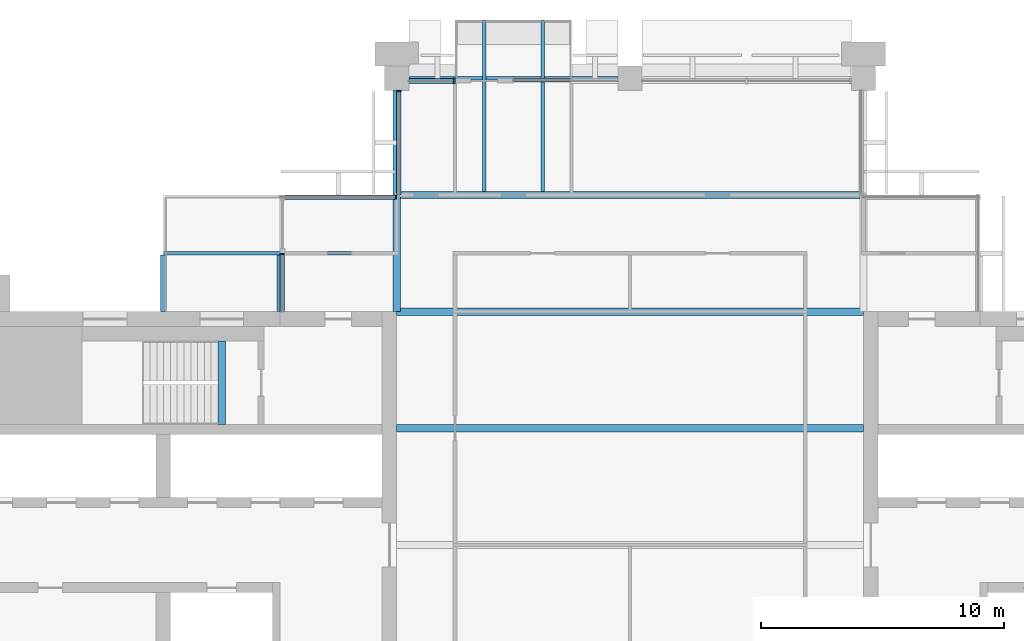
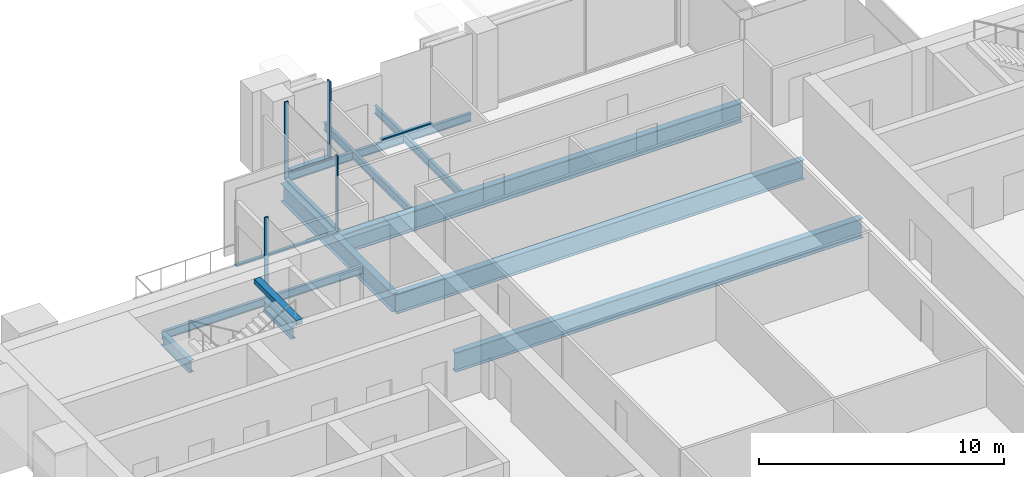
# One storey, part 5 of 14: 13 beams, 9 members, 5 elements without a shape of their own.
"""IFC4 building model written with IfcOpenShell, lengths in metres."""

import ifcopenshell
import ifcopenshell.guid

model = None  # the IFC model being written
_history = None  # IfcOwnerHistory: only IFC2X3 demands one
_inside = {}  # id of a spatial element -> (the spatial element, [elements in it])
_under = {}  # id of a project, library or spatial element -> (it, [spatial elements below it])
_declared = {}  # id of a project -> (the project, [libraries it declares])
_typed = {}  # id of a type object -> (the type object, [elements of that type])
_made_of = {}  # id of a material, layer set ... -> (it, [elements and type objects made of it])


def new_model(schema):
    """Start an empty IFC model of exactly this schema.

    Asked for "IFC4X3", IfcOpenShell would pick the latest addendum, in which some entities
    have other attributes; the version numbers below select the first issue.
    IFC2X3 requires an IfcOwnerHistory on every rooted entity: one is made here for all.
    """
    global model, _history
    if schema == "IFC4X3":
        model = ifcopenshell.file(schema_version=(4, 3, 0, 0))
    else:
        model = ifcopenshell.file(schema=schema)
    _inside.clear()
    _under.clear()
    _declared.clear()
    _typed.clear()
    _made_of.clear()
    _history = None
    if model.schema == "IFC2X3":
        org = make("IfcOrganization", Name="unknown")
        user = make(
            "IfcPersonAndOrganization",
            ThePerson=make("IfcPerson", FamilyName="unknown"),
            TheOrganization=org,
        )
        app = make(
            "IfcApplication",
            ApplicationDeveloper=org,
            Version="unknown",
            ApplicationFullName="unknown",
            ApplicationIdentifier="unknown",
        )
        _history = make(
            "IfcOwnerHistory",
            OwningUser=user,
            OwningApplication=app,
            ChangeAction="ADDED",
            CreationDate=0,
        )
    return model


def make(cls, **values):
    """One entity of the class cls with the attributes given. An attribute that is None is left unset."""
    return model.create_entity(
        cls, **{name: value for name, value in values.items() if value is not None}
    )


def rooted(cls, **values):
    """An entity with a GlobalId (a new one), such as an element, a storey or a relation."""
    return make(cls, GlobalId=ifcopenshell.guid.new(), OwnerHistory=_history, **values)


def si_unit(unit_type, name, prefix=None):
    """IfcSIUnit, for example si_unit("LENGTHUNIT", "METRE", prefix="MILLI")."""
    return make("IfcSIUnit", UnitType=unit_type, Prefix=prefix, Name=name)


def assignment(units):
    """IfcUnitAssignment: the units of a project."""
    return None if units is None else make("IfcUnitAssignment", Units=units)


def point(xyz):
    """IfcCartesianPoint."""
    return None if xyz is None else make("IfcCartesianPoint", Coordinates=xyz)


def direction(xyz):
    """IfcDirection."""
    return None if xyz is None else make("IfcDirection", DirectionRatios=xyz)


def frame(location, z_axis=None, x_axis=None):
    """IfcAxis2Placement3D, a coordinate frame: its origin and axes. An axis left out is left unset."""
    return make(
        "IfcAxis2Placement3D",
        Location=point(location),
        Axis=direction(z_axis),
        RefDirection=direction(x_axis),
    )


def frame_2d(location, x_axis=None):
    """IfcAxis2Placement2D, a coordinate frame in the plane: its origin and x axis."""
    return make(
        "IfcAxis2Placement2D", Location=point(location), RefDirection=direction(x_axis)
    )


def origin():
    """The frame at (0, 0, 0) with its axes left unset."""
    return frame((0.0, 0.0, 0.0))


def origin_2d():
    """The frame at (0, 0) in the plane with its x axis left unset."""
    return frame_2d((0.0, 0.0))


def place(relative_to, where):
    """IfcLocalPlacement: puts the frame where relative to a parent placement (None: the world)."""
    return make(
        "IfcLocalPlacement", PlacementRelTo=relative_to, RelativePlacement=where
    )


def context(
    kind, dimensions, precision=None, world=None, true_north=None, identifier=None
):
    """IfcGeometricRepresentationContext, for example the 3D "Model" context."""
    return make(
        "IfcGeometricRepresentationContext",
        ContextIdentifier=identifier,
        ContextType=kind,
        CoordinateSpaceDimension=dimensions,
        Precision=precision,
        WorldCoordinateSystem=world,
        TrueNorth=true_north,
    )


def subcontext(parent, identifier, kind, view, scale=None):
    """IfcGeometricRepresentationSubContext, for example "Body" below "Model"."""
    return make(
        "IfcGeometricRepresentationSubContext",
        ContextIdentifier=identifier,
        ContextType=kind,
        ParentContext=parent,
        TargetScale=scale,
        TargetView=view,
    )


def project(units=None, contexts=None):
    """IfcProject with its units and contexts."""
    return rooted(
        "IfcProject",
        Name="project",
        RepresentationContexts=contexts,
        UnitsInContext=assignment(units),
    )


def spatial(cls, under=None, at=None, **own):
    """A site, building, storey or space (cls), placed at a placement, below another one or the project."""
    s = rooted(cls, ObjectPlacement=at, **own)
    if under is not None:
        _under.setdefault(under.id(), (under, []))[1].append(s)
    return s


def profile(cls, at=None, kind="AREA", **sizes):
    """A parametric profile (cls). Its sizes go by their IFC names, for example OverallWidth=200.0."""
    return make(cls, ProfileType=kind, Position=at, **sizes)


def rectangle(**sizes):
    """IfcRectangleProfileDef."""
    return profile("IfcRectangleProfileDef", **sizes)


def i_section(**sizes):
    """IfcIShapeProfileDef."""
    return profile("IfcIShapeProfileDef", **sizes)


def extrude(swept, where, along, depth):
    """IfcExtrudedAreaSolid: the profile swept, set in the frame where, extruded along a direction by depth."""
    return make(
        "IfcExtrudedAreaSolid",
        SweptArea=swept,
        Position=where,
        ExtrudedDirection=direction(along),
        Depth=depth,
    )


def shape(context_of_items, identifier, shape_type, items):
    """IfcShapeRepresentation: the items that make up one representation, for example the "Body"."""
    return make(
        "IfcShapeRepresentation",
        ContextOfItems=context_of_items,
        RepresentationIdentifier=identifier,
        RepresentationType=shape_type,
        Items=items,
    )


def material(Name=None, Category=None):
    """IfcMaterial."""
    return make("IfcMaterial", Name=Name, Category=Category)


def material_profile(
    of_material, cross_section, Name=None, Category=None, Priority=None
):
    """IfcMaterialProfile: a cross section and its material."""
    return make(
        "IfcMaterialProfile",
        Name=Name,
        Material=of_material,
        Profile=cross_section,
        Priority=Priority,
        Category=Category,
    )


def profile_set(profiles, Name=None, composite=None):
    """IfcMaterialProfileSet."""
    return make(
        "IfcMaterialProfileSet",
        Name=Name,
        MaterialProfiles=profiles,
        CompositeProfile=composite,
    )


def made_of(thing, what):
    """Note that an element or type object is made of a material, layer set ...; save() writes the relation."""
    if what is not None:
        _made_of.setdefault(what.id(), (what, []))[1].append(thing)
    return thing


def type_object(cls, material=None, **own):
    """A type object (cls), such as IfcWallType, which elements share."""
    return made_of(rooted(cls, **own), material)


def element(
    cls,
    number,
    at=None,
    inside=None,
    cuts=None,
    type_object=None,
    material=None,
    context=None,
    identifier="Body",
    shape_type=None,
    held_by="IfcProductDefinitionShape",
    body=None,
    shapes=None,
    **own,
):
    """One element of the class cls, such as IfcWall. Its Tag is "e" and its number.

    at: its placement. inside: the storey or other place that contains it. cuts: it is an
    opening in that element (IfcRelVoidsElement). A single representation is given by context,
    identifier, shape_type and body (its items); several are given by shapes. held_by: the class
    of the entity that holds the representations. save() writes the other relations.
    """
    e = rooted(cls, Tag="e%d" % number, ObjectPlacement=at, **own)
    if body is not None:
        shapes = [shape(context, identifier, shape_type, body)]
    if shapes is not None:
        e.Representation = make(held_by, Representations=shapes)
    if inside is not None:
        _inside.setdefault(inside.id(), (inside, []))[1].append(e)
    if cuts is not None:
        rooted(
            "IfcRelVoidsElement", RelatingBuildingElement=cuts, RelatedOpeningElement=e
        )
    if type_object is not None:
        _typed.setdefault(type_object.id(), (type_object, []))[1].append(e)
    return made_of(e, material)


def aggregate(whole, parts):
    """IfcRelAggregates: a whole, such as a stair, and the parts it consists of."""
    return rooted("IfcRelAggregates", RelatingObject=whole, RelatedObjects=parts)


def save(model, path):
    """Write the relations noted so far, then the file.

    IfcRelAggregates (storeys below a building ...), IfcRelContainedInSpatialStructure (elements
    in a storey), IfcRelDefinesByType, IfcRelAssociatesMaterial and IfcRelDeclares: one each for
    every whole, place, type object, material and project.
    """
    for whole, parts in _under.values():
        aggregate(whole, parts)
    for where, things in _inside.values():
        rooted(
            "IfcRelContainedInSpatialStructure",
            RelatedElements=things,
            RelatingStructure=where,
        )
    for kind, things in _typed.values():
        rooted("IfcRelDefinesByType", RelatedObjects=things, RelatingType=kind)
    for what, things in _made_of.values():
        rooted("IfcRelAssociatesMaterial", RelatedObjects=things, RelatingMaterial=what)
    for by, libraries in _declared.values():
        rooted("IfcRelDeclares", RelatingContext=by, RelatedDefinitions=libraries)
    model.write(path)


model = new_model("IFC4")

# Units and contexts
model_context = context("Model", 3, precision=1e-05, world=origin(), true_north=direction((0.0, 1.0)))
body_context = subcontext(model_context, "Body", "Model", "MODEL_VIEW")
ifc_project = project(units=[si_unit("LENGTHUNIT", "METRE"), si_unit("AREAUNIT", "SQUARE_METRE"), si_unit("VOLUMEUNIT", "CUBIC_METRE"), si_unit("PLANEANGLEUNIT", "RADIAN"), si_unit("MASSUNIT", "GRAM", prefix="KILO")], contexts=[model_context])

# Site, building, storey
site_placement = place(None, origin())
site = spatial("IfcSite", under=ifc_project, at=site_placement, CompositionType="ELEMENT")
building_placement = place(site_placement, origin())
building = spatial("IfcBuilding", under=site, at=building_placement, Name="Baori Bourse Tower", CompositionType="ELEMENT")
storey_placement = place(building_placement, frame((0.0, 0.0, 290.300048828125)))
storey = spatial("IfcBuildingStorey", under=building, at=storey_placement, Name="L63", CompositionType="ELEMENT", Elevation=290.300048828125)

# Beams
ifc_material_1 = material(Name="Steel A992 Gr 50", Category="steel")
ifc_material_profile_1 = material_profile(ifc_material_1, i_section(OverallWidth=0.140380859375, OverallDepth=0.40380859375, WebThickness=0.007080078125, FlangeThickness=0.01123046875, at=origin_2d()), Name="W16x31")
ifc_profile_set_1 = profile_set([ifc_material_profile_1], Name="Steel A992 Gr 50")
beam_type_1 = type_object("IfcBeamType", Name="Balcony beam W16x31", PredefinedType="BEAM", material=ifc_profile_set_1)
for number, where, z_axis, x_axis, name in (
    (1, (22.800048828125, 50.39990234375, -0.362060546875), (0.0, -1.0, 0.0), (1.0, 0.0, 0.0), "Balcony beam L63"),
    (2, (25.199951171875, 50.39990234375, -0.362060546875), (0.0, -1.0, 0.0), (1.0, 0.0, 0.0), "Balcony beam L63"),
):
    element("IfcBeam", number, at=place(storey_placement, frame(where, z_axis=z_axis, x_axis=x_axis)), inside=storey, type_object=beam_type_1, Name=name, PredefinedType="BEAM", context=body_context, shape_type="SweptSolid", body=[
        extrude(i_section(OverallWidth=0.140380859375, OverallDepth=0.40380859375, WebThickness=0.007080078125, FlangeThickness=0.01123046875, at=origin_2d()), origin(), (0.0, 0.0, 1.0), 7.050048828125),
    ])

# Curtain wall, member
ifc_material_2 = material(Name="Pale anodised aluminium", Category="aluminium")
curtain_wall_type_1 = type_object("IfcCurtainWallType", Name="CW2 Curtain wall", PredefinedType="NOTDEFINED", material=ifc_material_2)
curtain_wall_1_placement = place(storey_placement, origin())
curtain_wall_1 = element("IfcCurtainWall", 3, at=curtain_wall_1_placement, inside=storey, type_object=curtain_wall_type_1, Name="Curtain wall CW2 L63 7", PredefinedType="NOTDEFINED")
ifc_material_3 = material(Name="Pale anodised aluminium", Category="aluminium")
ifc_material_profile_2 = material_profile(ifc_material_3, rectangle(XDim=0.179931640625, YDim=0.054931640625, at=origin_2d()), Name="Mullion 55x180")
ifc_profile_set_2 = profile_set([ifc_material_profile_2], Name="Pale anodised aluminium")
member_type_1 = type_object("IfcMemberType", Name="CW2 Curtain wall mullion", PredefinedType="MULLION", material=ifc_profile_set_2)
member_1_placement = place(storey_placement, frame((19.2900390625, 47.472412109375, 0.070068359375), z_axis=(0.0, 0.0, 1.0), x_axis=(1.0, 0.0, 0.0)))
member_1 = element("IfcMember", 4, at=member_1_placement, type_object=member_type_1, Name="Curtain wall CW2 mullion", PredefinedType="MULLION", context=body_context, shape_type="SweptSolid", body=[
    extrude(rectangle(XDim=0.179931640625, YDim=0.054931640625, at=origin_2d()), origin(), (0.0, 0.0, 1.0), 3.769775390625),
])

curtain_wall_2_placement = place(storey_placement, origin())
curtain_wall_2 = element("IfcCurtainWall", 5, at=curtain_wall_2_placement, inside=storey, type_object=curtain_wall_type_1, Name="Curtain wall CW2 L63 8", PredefinedType="NOTDEFINED")
member_2_placement = place(storey_placement, frame((19.172607421875, 43.110107421875, 0.070068359375), z_axis=(0.0, 0.0, 1.0), x_axis=(0.0, -1.0, 0.0)))
member_2 = element("IfcMember", 6, at=member_2_placement, type_object=member_type_1, Name="Curtain wall CW2 mullion", PredefinedType="MULLION", context=body_context, shape_type="SweptSolid", body=[
    extrude(rectangle(XDim=0.179931640625, YDim=0.054931640625, at=origin_2d()), origin(), (0.0, 0.0, 1.0), 3.769775390625),
])

curtain_wall_3_placement = place(storey_placement, origin())
curtain_wall_3 = element("IfcCurtainWall", 7, at=curtain_wall_3_placement, inside=storey, type_object=curtain_wall_type_1, Name="Curtain wall CW2 L63 9", PredefinedType="NOTDEFINED")
member_3_placement = place(storey_placement, frame((14.489990234375, 40.7724609375, 0.070068359375), z_axis=(0.0, 0.0, 1.0), x_axis=(1.0, 0.0, 0.0)))
member_3 = element("IfcMember", 8, at=member_3_placement, type_object=member_type_1, Name="Curtain wall CW2 mullion", PredefinedType="MULLION", context=body_context, shape_type="SweptSolid", body=[
    extrude(rectangle(XDim=0.179931640625, YDim=0.054931640625, at=origin_2d()), origin(), (0.0, 0.0, 1.0), 3.769775390625),
])

# Member
ifc_material_4 = material(Name="Pale anodised aluminium", Category="aluminium")
ifc_material_profile_3 = material_profile(ifc_material_4, rectangle(XDim=0.179931640625, YDim=0.070068359375, at=origin_2d()), Name="Transom 70x180")
ifc_profile_set_3 = profile_set([ifc_material_profile_3], Name="Pale anodised aluminium")
member_type_2 = type_object("IfcMemberType", Name="CW2 Curtain wall transom", PredefinedType="USERDEFINED", material=ifc_profile_set_3)
member_4_placement = place(storey_placement, frame((19.2900390625, 47.5, 0.034912109375), z_axis=(0.0, -1.0, 0.0), x_axis=(1.0, 0.0, 0.0)))
member_4 = element("IfcMember", 9, at=member_4_placement, type_object=member_type_2, Name="Curtain wall CW2 sill rail", ObjectType="TRANSOM", PredefinedType="USERDEFINED", context=body_context, shape_type="SweptSolid", body=[
    extrude(rectangle(XDim=0.179931640625, YDim=0.070068359375, at=origin_2d()), origin(), (0.0, 0.0, 1.0), 4.300048828125),
])

aggregate(curtain_wall_1, [member_4, member_1])

member_5_placement = place(storey_placement, frame((19.199951171875, 43.110107421875, 0.034912109375), z_axis=(-1.0, 0.0, 0.0), x_axis=(0.0, -1.0, 0.0)))
member_5 = element("IfcMember", 10, at=member_5_placement, type_object=member_type_2, Name="Curtain wall CW2 sill rail", ObjectType="TRANSOM", PredefinedType="USERDEFINED", context=body_context, shape_type="SweptSolid", body=[
    extrude(rectangle(XDim=0.179931640625, YDim=0.070068359375, at=origin_2d()), origin(), (0.0, 0.0, 1.0), 4.800048828125),
])

aggregate(curtain_wall_2, [member_5, member_2])

member_6_placement = place(storey_placement, frame((14.489990234375, 40.800048828125, 0.034912109375), z_axis=(0.0, -1.0, 0.0), x_axis=(1.0, 0.0, 0.0)))
member_6 = element("IfcMember", 11, at=member_6_placement, type_object=member_type_2, Name="Curtain wall CW2 sill rail", ObjectType="TRANSOM", PredefinedType="USERDEFINED", context=body_context, shape_type="SweptSolid", body=[
    extrude(rectangle(XDim=0.179931640625, YDim=0.070068359375, at=origin_2d()), origin(), (0.0, 0.0, 1.0), 2.400146484375),
])

aggregate(curtain_wall_3, [member_6, member_3])

# Curtain wall, members
ifc_material_5 = material(Name="Pale anodised aluminium", Category="aluminium")
curtain_wall_type_2 = type_object("IfcCurtainWallType", Name="CW5 Curtain wall", PredefinedType="NOTDEFINED", material=ifc_material_5)
curtain_wall_4_placement = place(storey_placement, origin())
curtain_wall_4 = element("IfcCurtainWall", 12, at=curtain_wall_4_placement, inside=storey, type_object=curtain_wall_type_2, Name="Curtain wall CW5 L63 6", PredefinedType="NOTDEFINED")
ifc_material_6 = material(Name="Pale anodised aluminium", Category="aluminium")
ifc_material_profile_4 = material_profile(ifc_material_6, rectangle(XDim=0.219970703125, YDim=0.06494140625, at=origin_2d()), Name="Mullion 65x220")
ifc_profile_set_4 = profile_set([ifc_material_profile_4], Name="Pale anodised aluminium")
member_type_3 = type_object("IfcMemberType", Name="CW5 Curtain wall mullion", PredefinedType="MULLION", material=ifc_profile_set_4)
member_7_placement = place(storey_placement, frame((21.5673828125, 47.889892578125, 0.0849609375), z_axis=(0.0, 0.0, 1.0), x_axis=(0.0, -1.0, 0.0)))
member_7 = element("IfcMember", 13, at=member_7_placement, type_object=member_type_3, Name="Curtain wall CW5 mullion", PredefinedType="MULLION", context=body_context, shape_type="SweptSolid", body=[
    extrude(rectangle(XDim=0.219970703125, YDim=0.06494140625, at=origin_2d()), origin(), (0.0, 0.0, 1.0), 3.7548828125),
])
ifc_material_7 = material(Name="Pale anodised aluminium", Category="aluminium")
ifc_material_profile_5 = material_profile(ifc_material_7, rectangle(XDim=0.219970703125, YDim=0.0849609375, at=origin_2d()), Name="Transom 85x220")
ifc_profile_set_5 = profile_set([ifc_material_profile_5], Name="Pale anodised aluminium")
member_type_4 = type_object("IfcMemberType", Name="CW5 Curtain wall transom", PredefinedType="USERDEFINED", material=ifc_profile_set_5)
member_8_placement = place(storey_placement, frame((21.60009765625, 47.889892578125, 0.04248046875), z_axis=(-1.0, 0.0, 0.0), x_axis=(0.0, -1.0, 0.0)))
member_8 = element("IfcMember", 14, at=member_8_placement, type_object=member_type_4, Name="Curtain wall CW5 sill rail", ObjectType="TRANSOM", PredefinedType="USERDEFINED", context=body_context, shape_type="SweptSolid", body=[
    extrude(rectangle(XDim=0.219970703125, YDim=0.0849609375, at=origin_2d()), origin(), (0.0, 0.0, 1.0), 1.900146484375),
])
aggregate(curtain_wall_4, [member_8, member_7])

# Curtain wall, member
ifc_material_8 = material(Name="Pale anodised aluminium", Category="aluminium")
curtain_wall_type_3 = type_object("IfcCurtainWallType", Name="CW6 Curtain wall", PredefinedType="NOTDEFINED", material=ifc_material_8)
curtain_wall_5_placement = place(storey_placement, origin())
curtain_wall_5 = element("IfcCurtainWall", 15, at=curtain_wall_5_placement, inside=storey, type_object=curtain_wall_type_3, Name="Curtain wall CW6 L63 5", PredefinedType="NOTDEFINED")
ifc_material_9 = material(Name="Pale anodised aluminium", Category="aluminium")
ifc_material_profile_6 = material_profile(ifc_material_9, rectangle(XDim=0.14990234375, YDim=0.06494140625, at=origin_2d()), Name="Transom 65x150")
ifc_profile_set_6 = profile_set([ifc_material_profile_6], Name="Pale anodised aluminium")
member_type_5 = type_object("IfcMemberType", Name="CW6 Curtain wall transom", PredefinedType="USERDEFINED", material=ifc_profile_set_6)
member_9_placement = place(storey_placement, frame((26.39990234375, 47.925048828125, 0.032470703125), z_axis=(-1.0, 0.0, 0.0), x_axis=(0.0, -1.0, 0.0)))
member_9 = element("IfcMember", 16, at=member_9_placement, type_object=member_type_5, Name="Curtain wall CW6 sill rail", ObjectType="TRANSOM", PredefinedType="USERDEFINED", context=body_context, shape_type="SweptSolid", body=[
    extrude(rectangle(XDim=0.14990234375, YDim=0.06494140625, at=origin_2d()), origin(), (0.0, 0.0, 1.0), 2.39990234375),
])
aggregate(curtain_wall_5, [member_9])

# Beams
ifc_material_10 = material(Name="Steel A992 Gr 50", Category="steel")
ifc_material_profile_7 = material_profile(ifc_material_10, i_section(OverallWidth=0.227783203125, OverallDepth=0.60205078125, WebThickness=0.010498046875, FlangeThickness=0.014892578125, at=origin_2d()), Name="W24x68")
ifc_profile_set_7 = profile_set([ifc_material_profile_7], Name="Steel A992 Gr 50")
beam_type_2 = type_object("IfcBeamType", Name="Core bracket W24x68", PredefinedType="BEAM", material=ifc_profile_set_7)
for number, where, z_axis, x_axis, name in (
    (17, (9.60009765625, 38.39990234375, -0.4609375), (0.0, 1.0, 0.0), (-1.0, 0.0, 0.0), "Core bracket L63"),
    (18, (14.39990234375, 38.39990234375, -0.4609375), (0.0, 1.0, 0.0), (-1.0, 0.0, 0.0), "Core bracket L63"),
):
    element("IfcBeam", number, at=place(storey_placement, frame(where, z_axis=z_axis, x_axis=x_axis)), inside=storey, type_object=beam_type_2, Name=name, PredefinedType="BEAM", context=body_context, shape_type="SweptSolid", body=[
        extrude(i_section(OverallWidth=0.227783203125, OverallDepth=0.60205078125, WebThickness=0.010498046875, FlangeThickness=0.014892578125, at=origin_2d()), origin(), (0.0, 0.0, 1.0), 2.329833984375),
    ])
ifc_material_11 = material(Name="Steel A992 Gr 50", Category="steel")
ifc_material_profile_8 = material_profile(ifc_material_11, i_section(OverallWidth=0.140380859375, OverallDepth=0.40380859375, WebThickness=0.007080078125, FlangeThickness=0.01123046875, at=origin_2d()), Name="W16x31")
ifc_profile_set_8 = profile_set([ifc_material_profile_8], Name="Steel A992 Gr 50")
beam_type_3 = type_object("IfcBeamType", Name="Edge beam W16x31", PredefinedType="BEAM", material=ifc_profile_set_8)
beam_1_placement = place(storey_placement, frame((19.699951171875, 48.0, -0.362060546875), z_axis=(1.0, 0.0, 0.0), x_axis=(0.0, 1.0, 0.0)))
element("IfcBeam", 19, at=beam_1_placement, inside=storey, type_object=beam_type_3, Name="Edge beam L63", PredefinedType="BEAM", context=body_context, shape_type="SweptSolid", body=[
    extrude(i_section(OverallWidth=0.140380859375, OverallDepth=0.40380859375, WebThickness=0.007080078125, FlangeThickness=0.01123046875, at=origin_2d()), origin(), (0.0, 0.0, 1.0), 3.02978515625),
])
beam_2_placement = place(storey_placement, frame((22.8701171875, 48.0, -0.362060546875), z_axis=(1.0, 0.0, 0.0), x_axis=(0.0, 1.0, 0.0)))
element("IfcBeam", 20, at=beam_2_placement, inside=storey, type_object=beam_type_3, Name="Edge beam L63", PredefinedType="BEAM", context=body_context, shape_type="SweptSolid", body=[
    extrude(i_section(OverallWidth=0.140380859375, OverallDepth=0.40380859375, WebThickness=0.007080078125, FlangeThickness=0.01123046875, at=origin_2d()), origin(), (0.0, 0.0, 1.0), 2.259765625),
])
beam_3_placement = place(storey_placement, frame((25.270263671875, 48.0, -0.362060546875), z_axis=(1.0, 0.0, 0.0), x_axis=(0.0, 1.0, 0.0)))
element("IfcBeam", 21, at=beam_3_placement, inside=storey, type_object=beam_type_3, Name="Edge beam L63", PredefinedType="BEAM", context=body_context, shape_type="SweptSolid", body=[
    extrude(i_section(OverallWidth=0.140380859375, OverallDepth=0.40380859375, WebThickness=0.007080078125, FlangeThickness=0.01123046875, at=origin_2d()), origin(), (0.0, 0.0, 1.0), 3.02978515625),
])
ifc_material_12 = material(Name="Steel A992 Gr 50", Category="steel")
ifc_material_profile_9 = material_profile(ifc_material_12, i_section(OverallWidth=0.2998046875, OverallDepth=0.97021484375, WebThickness=0.01611328125, FlangeThickness=0.02099609375, at=origin_2d()), Name="W40x149")
ifc_profile_set_9 = profile_set([ifc_material_profile_9], Name="Steel A992 Gr 50")
beam_type_4 = type_object("IfcBeamType", Name="Floor beam W40x149", PredefinedType="BEAM", material=ifc_profile_set_9)
for number, where, z_axis, x_axis, name in (
    (22, (19.199951171875, 33.60009765625, -0.645263671875), (1.0, 0.0, 0.0), (0.0, 1.0, 0.0), "Floor beam L63"),
    (23, (19.199951171875, 38.39990234375, -0.645263671875), (1.0, 0.0, 0.0), (0.0, 1.0, 0.0), "Floor beam L63"),
):
    element("IfcBeam", number, at=place(storey_placement, frame(where, z_axis=z_axis, x_axis=x_axis)), inside=storey, type_object=beam_type_4, Name=name, PredefinedType="BEAM", context=body_context, shape_type="SweptSolid", body=[
        extrude(i_section(OverallWidth=0.2998046875, OverallDepth=0.97021484375, WebThickness=0.01611328125, FlangeThickness=0.02099609375, at=origin_2d()), origin(), (0.0, 0.0, 1.0), 19.199951171875),
    ])
ifc_material_13 = material(Name="Steel A992 Gr 50", Category="steel")
ifc_material_profile_10 = material_profile(ifc_material_13, i_section(OverallWidth=0.2998046875, OverallDepth=0.990478515625, WebThickness=0.0166015625, FlangeThickness=0.030517578125, at=origin_2d()), Name="W40x183")
ifc_profile_set_10 = profile_set([ifc_material_profile_10], Name="Steel A992 Gr 50")
beam_type_5 = type_object("IfcBeamType", Name="Floor beam W40x183", PredefinedType="BEAM", material=ifc_profile_set_10)
beam_4_placement = place(storey_placement, frame((19.352294921875, 43.199951171875, -0.6552734375), z_axis=(1.0, 0.0, 0.0), x_axis=(0.0, 1.0, 0.0)))
element("IfcBeam", 24, at=beam_4_placement, inside=storey, type_object=beam_type_5, Name="Floor beam L63", PredefinedType="BEAM", context=body_context, shape_type="SweptSolid", body=[
    extrude(i_section(OverallWidth=0.2998046875, OverallDepth=0.990478515625, WebThickness=0.0166015625, FlangeThickness=0.030517578125, at=origin_2d()), origin(), (0.0, 0.0, 1.0), 18.901611328125),
])
ifc_material_14 = material(Name="Steel A992 Gr 50", Category="steel")
ifc_material_profile_11 = material_profile(ifc_material_14, i_section(OverallWidth=0.3046875, OverallDepth=0.904296875, WebThickness=0.01513671875, FlangeThickness=0.02001953125, at=origin_2d()), Name="W36x135")
ifc_profile_set_11 = profile_set([ifc_material_profile_11], Name="Steel A992 Gr 50")
beam_type_6 = type_object("IfcBeamType", Name="Girder W36x135", PredefinedType="BEAM", material=ifc_profile_set_11)
beam_5_placement = place(storey_placement, frame((19.199951171875, 38.39990234375, -0.612060546875), z_axis=(0.0, 1.0, 0.0), x_axis=(-1.0, 0.0, 0.0)))
element("IfcBeam", 25, at=beam_5_placement, inside=storey, type_object=beam_type_6, Name="Girder L63", PredefinedType="BEAM", context=body_context, shape_type="SweptSolid", body=[
    extrude(i_section(OverallWidth=0.3046875, OverallDepth=0.904296875, WebThickness=0.01513671875, FlangeThickness=0.02001953125, at=origin_2d()), origin(), (0.0, 0.0, 1.0), 9.10009765625),
])
ifc_material_15 = material(Name="Concrete f'c 50 MPa", Category="concrete")
ifc_material_profile_12 = material_profile(ifc_material_15, rectangle(XDim=0.300048828125, YDim=0.25, at=origin_2d()), Name="RC 300x250")
ifc_profile_set_12 = profile_set([ifc_material_profile_12], Name="Concrete f'c 50 MPa")
beam_type_7 = type_object("IfcBeamType", Name="Stair nib beam RC 300x250", PredefinedType="BEAM", material=ifc_profile_set_12)
beam_6_placement = place(storey_placement, frame((12.0, 33.75, 3.71484375), z_axis=(0.0, 1.0, 0.0), x_axis=(-1.0, 0.0, 0.0)))
element("IfcBeam", 26, at=beam_6_placement, inside=storey, type_object=beam_type_7, Name="Stair WB nib beam L64", PredefinedType="BEAM", context=body_context, shape_type="SweptSolid", body=[
    extrude(rectangle(XDim=0.300048828125, YDim=0.25, at=origin_2d()), origin(), (0.0, 0.0, 1.0), 3.449951171875),
])
ifc_material_16 = material(Name="Steel A992 Gr 50", Category="steel")
ifc_material_profile_13 = material_profile(ifc_material_16, i_section(OverallWidth=0.140380859375, OverallDepth=0.40380859375, WebThickness=0.007080078125, FlangeThickness=0.01123046875, at=origin_2d()), Name="W16x31")
ifc_profile_set_13 = profile_set([ifc_material_profile_13], Name="Steel A992 Gr 50")
beam_type_8 = type_object("IfcBeamType", Name="Trimmer beam W16x31", PredefinedType="BEAM", material=ifc_profile_set_13)
beam_7_placement = place(storey_placement, frame((9.60009765625, 40.800048828125, -0.362060546875), z_axis=(1.0, 0.0, 0.0), x_axis=(0.0, 1.0, 0.0)))
element("IfcBeam", 27, at=beam_7_placement, inside=storey, type_object=beam_type_8, Name="Trimmer beam L63", PredefinedType="BEAM", context=body_context, shape_type="SweptSolid", body=[
    extrude(i_section(OverallWidth=0.140380859375, OverallDepth=0.40380859375, WebThickness=0.007080078125, FlangeThickness=0.01123046875, at=origin_2d()), origin(), (0.0, 0.0, 1.0), 9.447509765625),
])

save(model, "model.ifc")
